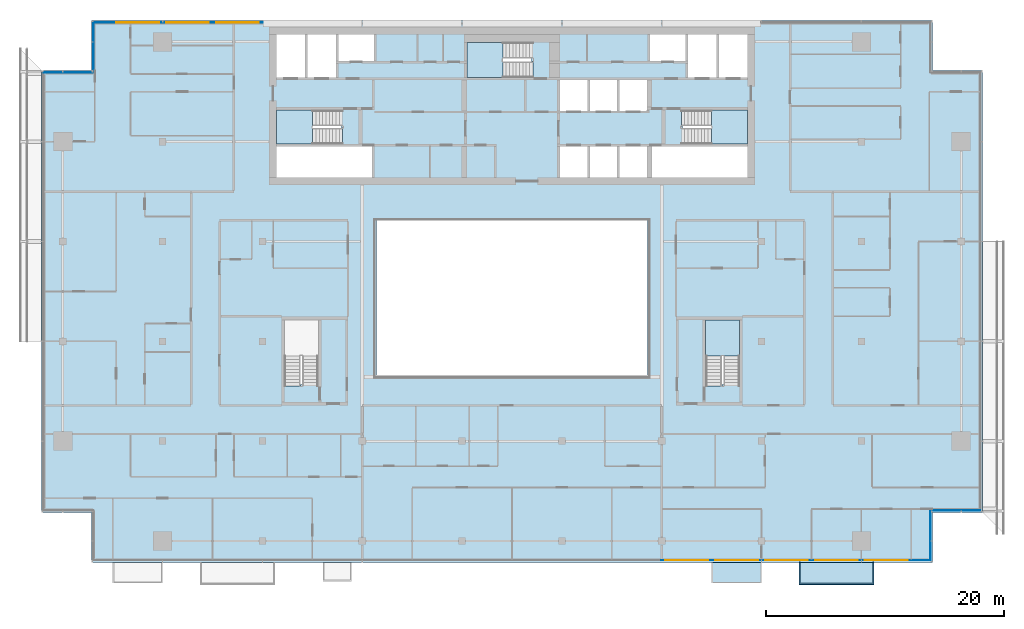
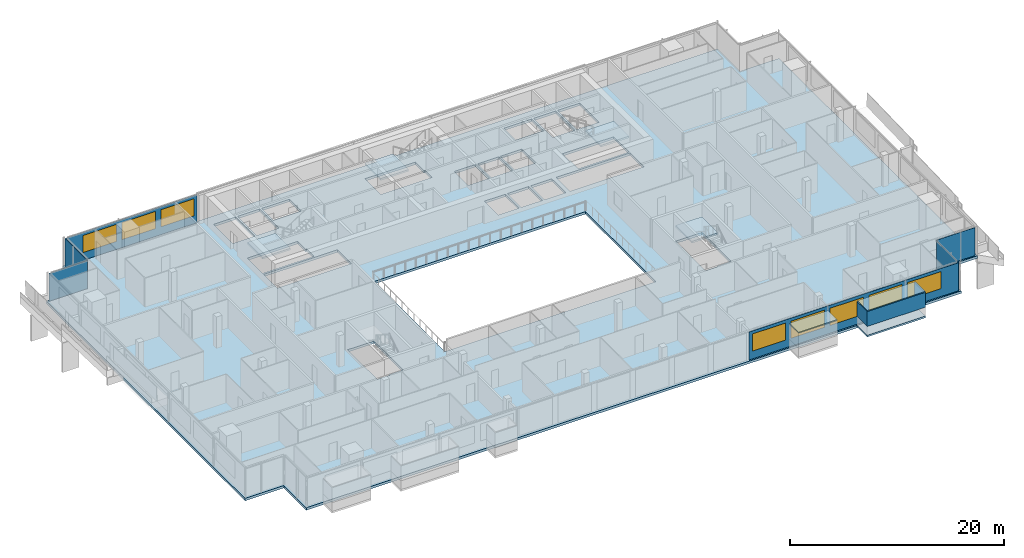
# One storey, part 16 of 29: 9 plates, 8 windows, 6 slabs, 8 openings, 10 elements without a shape of their own.
"""IFC4 building model written with IfcOpenShell, lengths in metres."""

from ifc_helpers import new_model, si_unit, direction, frame, frame_2d, origin, place, context, subcontext, project, spatial, polyline, rectangle, outline, extrude, material, layer, layer_set, type_object, element, fill, aggregate, save


model = new_model("IFC4")

# Units and contexts
model_context = context("Model", 3, precision=1e-05, world=origin(), true_north=direction((0.0, 1.0)))
body_context = subcontext(model_context, "Body", "Model", "MODEL_VIEW")
ifc_project = project(units=[si_unit("LENGTHUNIT", "METRE"), si_unit("AREAUNIT", "SQUARE_METRE"), si_unit("VOLUMEUNIT", "CUBIC_METRE"), si_unit("PLANEANGLEUNIT", "RADIAN"), si_unit("MASSUNIT", "GRAM", prefix="KILO")], contexts=[model_context])

# Site, building, storey
site_placement = place(None, origin())
site = spatial("IfcSite", under=ifc_project, at=site_placement, CompositionType="ELEMENT")
building_placement = place(site_placement, origin())
building = spatial("IfcBuilding", under=site, at=building_placement, Name="Saffron Gate Tower", CompositionType="ELEMENT")
storey_placement = place(building_placement, frame((0.0, 0.0, 219.89990234375)))
storey = spatial("IfcBuildingStorey", under=building, at=storey_placement, Name="L53", CompositionType="ELEMENT", Elevation=219.89990234375)

# Curtain wall, plate, openings, windows
ifc_material_1 = material(Name="Aluminium, bronze anodised", Category="aluminium")
curtain_wall_type_1 = type_object("IfcCurtainWallType", Name="CWS1 curtain wall front facade", PredefinedType="NOTDEFINED", material=ifc_material_1)
curtain_wall_1_placement = place(storey_placement, origin())
curtain_wall_1 = element("IfcCurtainWall", 1, at=curtain_wall_1_placement, inside=storey, type_object=curtain_wall_type_1, Name="CWS1 run 1", PredefinedType="NOTDEFINED")
ifc_material_2 = material(Name="Fritted bronze-tinted laminated glass", Category="glass")
ifc_layer_1 = layer(ifc_material_2, 0.028076171875)
ifc_layer_set_1 = layer_set([ifc_layer_1], Name="CWS1 fixed glass")
plate_type_1 = type_object("IfcPlateType", Name="CWS1 fixed glass", PredefinedType="CURTAIN_PANEL", material=ifc_layer_set_1)
plate_1_placement = place(storey_placement, frame((100.169921875, 30.174072265625, 0.0), z_axis=(0.0, 0.0, 1.0), x_axis=(1.0, 0.0, 0.0)))
plate_1 = element("IfcPlate", 2, at=plate_1_placement, type_object=plate_type_1, Name="CWS1 glass panel", PredefinedType="CURTAIN_PANEL", context=body_context, shape_type="SweptSolid", body=[
    extrude(rectangle(XDim=22.64208984375, YDim=0.028076171875, at=frame_2d((11.321044921875, 0.0))), origin(), (0.0, 0.0, 1.0), 3.2001953125),
])
opening_1_placement = place(plate_1_placement, frame((0.330078125, 0.0, 0.89990234375)))
opening_1 = element("IfcOpeningElement", 3, at=opening_1_placement, cuts=plate_1, Name="Opening W1", PredefinedType="OPENING", context=body_context, shape_type="SweptSolid", body=[
    extrude(rectangle(XDim=3.60009765625, YDim=1.949951171875, at=frame_2d((1.800048828125, 0.97509765625))), frame((0.0, 0.02392578125, 0.0), z_axis=(0.0, -1.0, 0.0), x_axis=(1.0, 0.0, 0.0)), (0.0, 0.0, 1.0), 0.048095703125),
])
opening_2_placement = place(plate_1_placement, frame((4.530029296875, 0.0, 0.89990234375)))
opening_2 = element("IfcOpeningElement", 4, at=opening_2_placement, cuts=plate_1, Name="Opening W1", PredefinedType="OPENING", context=body_context, shape_type="SweptSolid", body=[
    extrude(rectangle(XDim=3.60009765625, YDim=1.949951171875, at=frame_2d((1.800048828125, 0.97509765625))), frame((0.0, 0.02392578125, 0.0), z_axis=(0.0, -1.0, 0.0), x_axis=(1.0, 0.0, 0.0)), (0.0, 0.0, 1.0), 0.048095703125),
])
opening_3_placement = place(plate_1_placement, frame((8.72998046875, 0.0, 0.89990234375)))
opening_3 = element("IfcOpeningElement", 5, at=opening_3_placement, cuts=plate_1, Name="Opening W1", PredefinedType="OPENING", context=body_context, shape_type="SweptSolid", body=[
    extrude(rectangle(XDim=3.60009765625, YDim=1.949951171875, at=frame_2d((1.800048828125, 0.97509765625))), frame((0.0, 0.02392578125, 0.0), z_axis=(0.0, -1.0, 0.0), x_axis=(1.0, 0.0, 0.0)), (0.0, 0.0, 1.0), 0.048095703125),
])
opening_4_placement = place(plate_1_placement, frame((12.929931640625, 0.0, 0.89990234375)))
opening_4 = element("IfcOpeningElement", 6, at=opening_4_placement, cuts=plate_1, Name="Opening W1", PredefinedType="OPENING", context=body_context, shape_type="SweptSolid", body=[
    extrude(rectangle(XDim=3.60009765625, YDim=1.949951171875, at=frame_2d((1.800048828125, 0.97509765625))), frame((0.0, 0.02392578125, 0.0), z_axis=(0.0, -1.0, 0.0), x_axis=(1.0, 0.0, 0.0)), (0.0, 0.0, 1.0), 0.048095703125),
])
opening_5_placement = place(plate_1_placement, frame((17.1298828125, 0.0, 0.89990234375)))
opening_5 = element("IfcOpeningElement", 7, at=opening_5_placement, cuts=plate_1, Name="Opening W1", PredefinedType="OPENING", context=body_context, shape_type="SweptSolid", body=[
    extrude(rectangle(XDim=3.60009765625, YDim=1.949951171875, at=frame_2d((1.800048828125, 0.97509765625))), frame((0.0, 0.02392578125, 0.0), z_axis=(0.0, -1.0, 0.0), x_axis=(1.0, 0.0, 0.0)), (0.0, 0.0, 1.0), 0.048095703125),
])
ifc_material_3 = material(Name="Fritted bronze-tinted laminated glass in bronze frame", Category="glass")
ifc_layer_2 = layer(ifc_material_3, 0.06005859375)
ifc_layer_set_2 = layer_set([ifc_layer_2], Name="W1 operable panel 3600x1950")
window_type = type_object("IfcWindowType", Name="W1 operable panel 3600x1950", PartitioningType="DOUBLE_PANEL_HORIZONTAL", PredefinedType="WINDOW", material=ifc_layer_set_2)
window_1_placement = place(opening_1_placement, origin())
window_1 = element("IfcWindow", 8, at=window_1_placement, type_object=window_type, Name="W1 operable panel", OverallHeight=1.949951171875, OverallWidth=3.60009765625, PartitioningType="SINGLE_PANEL", PredefinedType="WINDOW", context=body_context, shape_type="SweptSolid", body=[
    extrude(rectangle(XDim=3.60009765625, YDim=1.949951171875, at=frame_2d((1.800048828125, 0.97509765625))), frame((0.0, 0.013671875, 0.0), z_axis=(0.0, -1.0, 0.0), x_axis=(1.0, 0.0, 0.0)), (0.0, 0.0, 1.0), 0.027587890625),
])
fill(opening_1, window_1)
window_2_placement = place(opening_2_placement, origin())
window_2 = element("IfcWindow", 9, at=window_2_placement, type_object=window_type, Name="W1 operable panel", OverallHeight=1.949951171875, OverallWidth=3.60009765625, PartitioningType="SINGLE_PANEL", PredefinedType="WINDOW", context=body_context, shape_type="SweptSolid", body=[
    extrude(rectangle(XDim=3.60009765625, YDim=1.949951171875, at=frame_2d((1.800048828125, 0.97509765625))), frame((0.0, 0.013671875, 0.0), z_axis=(0.0, -1.0, 0.0), x_axis=(1.0, 0.0, 0.0)), (0.0, 0.0, 1.0), 0.027587890625),
])
fill(opening_2, window_2)
window_3_placement = place(opening_3_placement, origin())
window_3 = element("IfcWindow", 10, at=window_3_placement, type_object=window_type, Name="W1 operable panel", OverallHeight=1.949951171875, OverallWidth=3.60009765625, PartitioningType="SINGLE_PANEL", PredefinedType="WINDOW", context=body_context, shape_type="SweptSolid", body=[
    extrude(rectangle(XDim=3.60009765625, YDim=1.949951171875, at=frame_2d((1.800048828125, 0.97509765625))), frame((0.0, 0.013671875, 0.0), z_axis=(0.0, -1.0, 0.0), x_axis=(1.0, 0.0, 0.0)), (0.0, 0.0, 1.0), 0.027587890625),
])
fill(opening_3, window_3)
window_4_placement = place(opening_4_placement, origin())
window_4 = element("IfcWindow", 11, at=window_4_placement, type_object=window_type, Name="W1 operable panel", OverallHeight=1.949951171875, OverallWidth=3.60009765625, PartitioningType="SINGLE_PANEL", PredefinedType="WINDOW", context=body_context, shape_type="SweptSolid", body=[
    extrude(rectangle(XDim=3.60009765625, YDim=1.949951171875, at=frame_2d((1.800048828125, 0.97509765625))), frame((0.0, 0.013671875, 0.0), z_axis=(0.0, -1.0, 0.0), x_axis=(1.0, 0.0, 0.0)), (0.0, 0.0, 1.0), 0.027587890625),
])
fill(opening_4, window_4)
window_5_placement = place(opening_5_placement, origin())
window_5 = element("IfcWindow", 12, at=window_5_placement, type_object=window_type, Name="W1 operable panel", OverallHeight=1.949951171875, OverallWidth=3.60009765625, PartitioningType="SINGLE_PANEL", PredefinedType="WINDOW", context=body_context, shape_type="SweptSolid", body=[
    extrude(rectangle(XDim=3.60009765625, YDim=1.949951171875, at=frame_2d((1.800048828125, 0.97509765625))), frame((0.0, 0.013671875, 0.0), z_axis=(0.0, -1.0, 0.0), x_axis=(1.0, 0.0, 0.0)), (0.0, 0.0, 1.0), 0.027587890625),
])
fill(opening_5, window_5)
aggregate(curtain_wall_1, [plate_1, window_1, window_2, window_3, window_4, window_5])

curtain_wall_type_2 = type_object("IfcCurtainWallType", Name="CWS3 curtain wall rear facade", PredefinedType="NOTDEFINED", material=ifc_material_1)
curtain_wall_2_placement = place(storey_placement, origin())
curtain_wall_2 = element("IfcCurtainWall", 13, at=curtain_wall_2_placement, inside=storey, type_object=curtain_wall_type_2, Name="CWS3 run 7", PredefinedType="NOTDEFINED")
ifc_material_4 = material(Name="Fritted grey-tinted laminated glass", Category="glass")
ifc_layer_3 = layer(ifc_material_4, 0.028076171875)
ifc_layer_set_3 = layer_set([ifc_layer_3], Name="CWS3 fixed glass")
plate_type_2 = type_object("IfcPlateType", Name="CWS3 fixed glass", PredefinedType="CURTAIN_PANEL", material=ifc_layer_set_3)
plate_2_placement = place(storey_placement, frame((66.635009765625, 75.426025390625, 0.0), z_axis=(0.0, 0.0, 1.0), x_axis=(-1.0, 0.0, 0.0)))
plate_2 = element("IfcPlate", 14, at=plate_2_placement, type_object=plate_type_2, Name="CWS3 glass panel", PredefinedType="CURTAIN_PANEL", context=body_context, shape_type="SweptSolid", body=[
    extrude(rectangle(XDim=14.2470703125, YDim=0.028076171875, at=frame_2d((7.12353515625, 0.0))), origin(), (0.0, 0.0, 1.0), 3.2001953125),
])
opening_6_placement = place(plate_2_placement, frame((0.3349609375, 0.0, 0.89990234375)))
opening_6 = element("IfcOpeningElement", 15, at=opening_6_placement, cuts=plate_2, Name="Opening W1", PredefinedType="OPENING", context=body_context, shape_type="SweptSolid", body=[
    extrude(rectangle(XDim=3.60009765625, YDim=1.949951171875, at=frame_2d((1.800048828125, 0.97509765625))), frame((0.0, 0.02392578125, 0.0), z_axis=(0.0, -1.0, 0.0), x_axis=(1.0, 0.0, 0.0)), (0.0, 0.0, 1.0), 0.048095703125),
])
opening_7_placement = place(plate_2_placement, frame((4.534912109375, 0.0, 0.89990234375)))
opening_7 = element("IfcOpeningElement", 16, at=opening_7_placement, cuts=plate_2, Name="Opening W1", PredefinedType="OPENING", context=body_context, shape_type="SweptSolid", body=[
    extrude(rectangle(XDim=3.60009765625, YDim=1.949951171875, at=frame_2d((1.800048828125, 0.97509765625))), frame((0.0, 0.02392578125, 0.0), z_axis=(0.0, -1.0, 0.0), x_axis=(1.0, 0.0, 0.0)), (0.0, 0.0, 1.0), 0.048095703125),
])
opening_8_placement = place(plate_2_placement, frame((8.735107421875, 0.0, 0.89990234375)))
opening_8 = element("IfcOpeningElement", 17, at=opening_8_placement, cuts=plate_2, Name="Opening W1", PredefinedType="OPENING", context=body_context, shape_type="SweptSolid", body=[
    extrude(rectangle(XDim=3.60009765625, YDim=1.949951171875, at=frame_2d((1.800048828125, 0.97509765625))), frame((0.0, 0.02392578125, 0.0), z_axis=(0.0, -1.0, 0.0), x_axis=(1.0, 0.0, 0.0)), (0.0, 0.0, 1.0), 0.048095703125),
])
window_6_placement = place(opening_6_placement, origin())
window_6 = element("IfcWindow", 18, at=window_6_placement, type_object=window_type, Name="W1 operable panel", OverallHeight=1.949951171875, OverallWidth=3.60009765625, PartitioningType="SINGLE_PANEL", PredefinedType="WINDOW", context=body_context, shape_type="SweptSolid", body=[
    extrude(rectangle(XDim=3.60009765625, YDim=1.949951171875, at=frame_2d((1.800048828125, 0.97509765625))), frame((0.0, 0.013671875, 0.0), z_axis=(0.0, -1.0, 0.0), x_axis=(1.0, 0.0, 0.0)), (0.0, 0.0, 1.0), 0.027587890625),
])
fill(opening_6, window_6)
window_7_placement = place(opening_7_placement, origin())
window_7 = element("IfcWindow", 19, at=window_7_placement, type_object=window_type, Name="W1 operable panel", OverallHeight=1.949951171875, OverallWidth=3.60009765625, PartitioningType="SINGLE_PANEL", PredefinedType="WINDOW", context=body_context, shape_type="SweptSolid", body=[
    extrude(rectangle(XDim=3.60009765625, YDim=1.949951171875, at=frame_2d((1.800048828125, 0.97509765625))), frame((0.0, 0.013671875, 0.0), z_axis=(0.0, -1.0, 0.0), x_axis=(1.0, 0.0, 0.0)), (0.0, 0.0, 1.0), 0.027587890625),
])
fill(opening_7, window_7)
window_8_placement = place(opening_8_placement, origin())
window_8 = element("IfcWindow", 20, at=window_8_placement, type_object=window_type, Name="W1 operable panel", OverallHeight=1.949951171875, OverallWidth=3.60009765625, PartitioningType="SINGLE_PANEL", PredefinedType="WINDOW", context=body_context, shape_type="SweptSolid", body=[
    extrude(rectangle(XDim=3.60009765625, YDim=1.949951171875, at=frame_2d((1.800048828125, 0.97509765625))), frame((0.0, 0.013671875, 0.0), z_axis=(0.0, -1.0, 0.0), x_axis=(1.0, 0.0, 0.0)), (0.0, 0.0, 1.0), 0.027587890625),
])
fill(opening_8, window_8)
aggregate(curtain_wall_2, [plate_2, window_6, window_7, window_8])

# Curtain wall, plate
curtain_wall_type_3 = type_object("IfcCurtainWallType", Name="CWS4 curtain wall corner returns", PredefinedType="NOTDEFINED", material=ifc_material_1)
curtain_wall_3_placement = place(storey_placement, origin())
curtain_wall_3 = element("IfcCurtainWall", 21, at=curtain_wall_3_placement, inside=storey, type_object=curtain_wall_type_3, Name="CWS4 run 2", PredefinedType="NOTDEFINED")
ifc_layer_4 = layer(ifc_material_2, 0.028076171875)
ifc_layer_set_4 = layer_set([ifc_layer_4], Name="CWS4 fixed glass")
plate_type_3 = type_object("IfcPlateType", Name="CWS4 fixed glass", PredefinedType="CURTAIN_PANEL", material=ifc_layer_set_4)
plate_3_placement = place(storey_placement, frame((122.825927734375, 30.18798828125, 0.0), z_axis=(0.0, 0.0, 1.0), x_axis=(0.0, 1.0, 0.0)))
plate_3 = element("IfcPlate", 22, at=plate_3_placement, type_object=plate_type_3, Name="CWS4 glass panel", PredefinedType="CURTAIN_PANEL", context=body_context, shape_type="SweptSolid", body=[
    extrude(rectangle(XDim=4.172119140625, YDim=0.028076171875, at=frame_2d((2.0859375, 0.0))), origin(), (0.0, 0.0, 1.0), 3.2001953125),
])
aggregate(curtain_wall_3, [plate_3])

curtain_wall_4_placement = place(storey_placement, origin())
curtain_wall_4 = element("IfcCurtainWall", 23, at=curtain_wall_4_placement, inside=storey, type_object=curtain_wall_type_3, Name="CWS4 run 3", PredefinedType="NOTDEFINED")
plate_4_placement = place(storey_placement, frame((122.840087890625, 34.3740234375, 0.0), z_axis=(0.0, 0.0, 1.0), x_axis=(1.0, 0.0, 0.0)))
plate_4 = element("IfcPlate", 24, at=plate_4_placement, type_object=plate_type_3, Name="CWS4 glass panel", PredefinedType="CURTAIN_PANEL", context=body_context, shape_type="SweptSolid", body=[
    extrude(rectangle(XDim=4.171875, YDim=0.028076171875, at=frame_2d((2.0859375, 0.0))), origin(), (0.0, 0.0, 1.0), 3.2001953125),
])
aggregate(curtain_wall_4, [plate_4])

curtain_wall_5_placement = place(storey_placement, origin())
curtain_wall_5 = element("IfcCurtainWall", 25, at=curtain_wall_5_placement, inside=storey, type_object=curtain_wall_type_3, Name="CWS4 run 8", PredefinedType="NOTDEFINED")
plate_5_placement = place(storey_placement, frame((52.3740234375, 75.412109375, 0.0), z_axis=(0.0, 0.0, 1.0), x_axis=(0.0, -1.0, 0.0)))
plate_5 = element("IfcPlate", 26, at=plate_5_placement, type_object=plate_type_3, Name="CWS4 glass panel", PredefinedType="CURTAIN_PANEL", context=body_context, shape_type="SweptSolid", body=[
    extrude(rectangle(XDim=4.172119140625, YDim=0.028076171875, at=frame_2d((2.0859375, 0.0))), origin(), (0.0, 0.0, 1.0), 3.2001953125),
])
aggregate(curtain_wall_5, [plate_5])

curtain_wall_6_placement = place(storey_placement, origin())
curtain_wall_6 = element("IfcCurtainWall", 27, at=curtain_wall_6_placement, inside=storey, type_object=curtain_wall_type_3, Name="CWS4 run 9", PredefinedType="NOTDEFINED")
plate_6_placement = place(storey_placement, frame((52.360107421875, 71.22607421875, 0.0), z_axis=(0.0, 0.0, 1.0), x_axis=(-1.0, 0.0, 0.0)))
plate_6 = element("IfcPlate", 28, at=plate_6_placement, type_object=plate_type_3, Name="CWS4 glass panel", PredefinedType="CURTAIN_PANEL", context=body_context, shape_type="SweptSolid", body=[
    extrude(rectangle(XDim=4.172119140625, YDim=0.028076171875, at=frame_2d((2.0859375, 0.0))), origin(), (0.0, 0.0, 1.0), 3.2001953125),
])
aggregate(curtain_wall_6, [plate_6])

# Slab
ifc_material_5 = material(Name="Concrete C40", Category="concrete")
ifc_layer_5 = layer(ifc_material_5, 0.280029296875)
ifc_layer_set_5 = layer_set([ifc_layer_5], Name="S2 FLOOR SLAB 280 CONCRETE C40")
slab_type_1 = type_object("IfcSlabType", Name="S2 FLOOR SLAB 280 CONCRETE C40", PredefinedType="FLOOR", material=ifc_layer_set_5)
slab_1_placement = place(storey_placement, frame((0.0, 0.0, -0.27978515625)))
element("IfcSlab", 29, at=slab_1_placement, inside=storey, type_object=slab_type_1, Name="S2 FLOOR SLAB", PredefinedType="FLOOR", context=body_context, shape_type="SweptSolid", body=[
    extrude(outline(polyline([(48.0, 34.199951171875), (52.199951171875, 34.199951171875), (52.199951171875, 30.0), (123.0, 30.0), (123.0, 34.199951171875), (127.199951171875, 34.199951171875), (127.199951171875, 71.39990234375), (123.0, 71.39990234375), (123.0, 75.60009765625), (52.199951171875, 75.60009765625), (52.199951171875, 71.39990234375), (48.0, 71.39990234375), (48.0, 34.199951171875)]), holes=[polyline([(67.800048828125, 62.39990234375), (67.800048828125, 65.0), (75.800048828125, 65.0), (75.800048828125, 62.39990234375), (67.800048828125, 62.39990234375)]), polyline([(67.800048828125, 65.199951171875), (67.800048828125, 68.050048828125), (73.25, 68.050048828125), (73.25, 66.550048828125), (73.34912109375, 66.550048828125), (73.34912109375, 65.199951171875), (67.800048828125, 65.199951171875)]), polyline([(67.800048828125, 70.800048828125), (67.800048828125, 74.39990234375), (70.199951171875, 74.39990234375), (70.199951171875, 70.800048828125), (67.800048828125, 70.800048828125)]), polyline([(68.449951171875, 44.85107421875), (68.449951171875, 50.39990234375), (71.300048828125, 50.39990234375), (71.300048828125, 44.949951171875), (69.800048828125, 44.949951171875), (69.800048828125, 44.85107421875), (68.449951171875, 44.85107421875)]), polyline([(70.39990234375, 70.800048828125), (70.39990234375, 74.39990234375), (72.800048828125, 74.39990234375), (72.800048828125, 70.800048828125), (70.39990234375, 70.800048828125)]), polyline([(73.0, 72.199951171875), (73.0, 74.39990234375), (76.0, 74.39990234375), (76.0, 72.199951171875), (73.0, 72.199951171875)]), polyline([(76.199951171875, 45.60009765625), (76.199951171875, 58.800048828125), (99.0, 58.800048828125), (99.0, 45.60009765625), (76.199951171875, 45.60009765625)]), polyline([(83.800048828125, 70.800048828125), (83.800048828125, 73.75), (89.25, 73.75), (89.25, 72.14990234375), (89.34912109375, 72.14990234375), (89.34912109375, 70.800048828125), (83.800048828125, 70.800048828125)]), polyline([(91.64990234375, 62.39990234375), (91.64990234375, 65.0), (93.949951171875, 65.0), (93.949951171875, 62.39990234375), (91.64990234375, 62.39990234375)]), polyline([(91.64990234375, 68.0), (91.64990234375, 70.60009765625), (93.949951171875, 70.60009765625), (93.949951171875, 68.0), (91.64990234375, 68.0)]), polyline([(94.14990234375, 62.39990234375), (94.14990234375, 65.0), (96.449951171875, 65.0), (96.449951171875, 62.39990234375), (94.14990234375, 62.39990234375)]), polyline([(94.14990234375, 68.0), (94.14990234375, 70.60009765625), (96.449951171875, 70.60009765625), (96.449951171875, 68.0), (94.14990234375, 68.0)]), polyline([(96.64990234375, 62.39990234375), (96.64990234375, 65.0), (98.949951171875, 65.0), (98.949951171875, 62.39990234375), (96.64990234375, 62.39990234375)]), polyline([(96.64990234375, 68.0), (96.64990234375, 70.60009765625), (98.949951171875, 70.60009765625), (98.949951171875, 68.0), (96.64990234375, 68.0)]), polyline([(99.199951171875, 72.199951171875), (99.199951171875, 74.39990234375), (102.199951171875, 74.39990234375), (102.199951171875, 72.199951171875), (99.199951171875, 72.199951171875)]), polyline([(99.39990234375, 62.39990234375), (99.39990234375, 65.0), (107.39990234375, 65.0), (107.39990234375, 62.39990234375), (99.39990234375, 62.39990234375)]), polyline([(101.85107421875, 66.699951171875), (101.85107421875, 68.050048828125), (107.39990234375, 68.050048828125), (107.39990234375, 65.199951171875), (101.949951171875, 65.199951171875), (101.949951171875, 66.699951171875), (101.85107421875, 66.699951171875)]), polyline([(102.39990234375, 70.800048828125), (102.39990234375, 74.39990234375), (104.800048828125, 74.39990234375), (104.800048828125, 70.800048828125), (102.39990234375, 70.800048828125)]), polyline([(103.89990234375, 44.85107421875), (103.89990234375, 50.39990234375), (106.75, 50.39990234375), (106.75, 44.949951171875), (105.25, 44.949951171875), (105.25, 44.85107421875), (103.89990234375, 44.85107421875)]), polyline([(105.0, 70.800048828125), (105.0, 74.39990234375), (107.39990234375, 74.39990234375), (107.39990234375, 70.800048828125), (105.0, 70.800048828125)])]), origin(), (0.0, 0.0, 1.0), 0.27978515625),
])

# Stair, slab
stair_type = type_object("IfcStairType", Name="ST7 Stair 1350 wide, 20 risers of 180", PredefinedType="HALF_TURN_STAIR", material=ifc_material_5)
stair_1_placement = place(storey_placement, origin())
stair_1 = element("IfcStair", 30, at=stair_1_placement, inside=storey, type_object=stair_type, Name="L53 Exit stair A", PredefinedType="HALF_TURN_STAIR")
ifc_layer_6 = layer(ifc_material_5, 0.199951171875)
ifc_layer_set_6 = layer_set([ifc_layer_6], Name="SL1 Stair landing 200")
slab_type_2 = type_object("IfcSlabType", Name="SL1 Stair landing 200", PredefinedType="LANDING", material=ifc_layer_set_6)
slab_2_placement = place(storey_placement, frame((0.0, 0.0, 1.60009765625)))
slab_2 = element("IfcSlab", 31, at=slab_2_placement, type_object=slab_type_2, Name="ST-A landing 1", PredefinedType="LANDING", context=body_context, shape_type="SweptSolid", body=[
    extrude(outline(polyline([(70.830078125, 68.050048828125), (67.800048828125, 68.050048828125), (67.800048828125, 65.199951171875), (70.830078125, 65.199951171875), (70.830078125, 68.050048828125)])), origin(), (0.0, 0.0, 1.0), 0.199951171875),
])
aggregate(stair_1, [slab_2])

stair_2_placement = place(storey_placement, origin())
stair_2 = element("IfcStair", 32, at=stair_2_placement, inside=storey, type_object=stair_type, Name="L53 Exit stair B", PredefinedType="HALF_TURN_STAIR")
slab_3_placement = place(storey_placement, frame((0.0, 0.0, 1.60009765625)))
slab_3 = element("IfcSlab", 33, at=slab_3_placement, type_object=slab_type_2, Name="ST-B landing 1", PredefinedType="LANDING", context=body_context, shape_type="SweptSolid", body=[
    extrude(outline(polyline([(104.3701171875, 65.199951171875), (107.39990234375, 65.199951171875), (107.39990234375, 68.050048828125), (104.3701171875, 68.050048828125), (104.3701171875, 65.199951171875)])), origin(), (0.0, 0.0, 1.0), 0.199951171875),
])
aggregate(stair_2, [slab_3])

stair_3_placement = place(storey_placement, origin())
stair_3 = element("IfcStair", 34, at=stair_3_placement, inside=storey, type_object=stair_type, Name="L53 Exit stair C", PredefinedType="HALF_TURN_STAIR")
slab_4_placement = place(storey_placement, frame((0.0, 0.0, 1.60009765625)))
slab_4 = element("IfcSlab", 35, at=slab_4_placement, type_object=slab_type_2, Name="ST-C landing 1", PredefinedType="LANDING", context=body_context, shape_type="SweptSolid", body=[
    extrude(outline(polyline([(86.830078125, 73.75), (83.800048828125, 73.75), (83.800048828125, 70.800048828125), (86.830078125, 70.800048828125), (86.830078125, 73.75)])), origin(), (0.0, 0.0, 1.0), 0.199951171875),
])
aggregate(stair_3, [slab_4])

stair_4_placement = place(storey_placement, origin())
stair_4 = element("IfcStair", 36, at=stair_4_placement, inside=storey, type_object=stair_type, Name="L53 Exit stair E", PredefinedType="HALF_TURN_STAIR")
slab_5_placement = place(storey_placement, frame((0.0, 0.0, 1.60009765625)))
slab_5 = element("IfcSlab", 37, at=slab_5_placement, type_object=slab_type_2, Name="ST-E landing 1", PredefinedType="LANDING", context=body_context, shape_type="SweptSolid", body=[
    extrude(outline(polyline([(106.75, 47.3701171875), (106.75, 50.39990234375), (103.89990234375, 50.39990234375), (103.89990234375, 47.3701171875), (106.75, 47.3701171875)])), origin(), (0.0, 0.0, 1.0), 0.199951171875),
])
aggregate(stair_4, [slab_5])

# Slab
ifc_material_6 = material(Name="Timber deck on bronze frame", Category="wood")
ifc_layer_7 = layer(ifc_material_6, 0.199951171875)
ifc_layer_set_7 = layer_set([ifc_layer_7], Name="WB1 box floor")
slab_type_3 = type_object("IfcSlabType", Name="WB1 box floor", PredefinedType="FLOOR", material=ifc_layer_set_7)
slab_6_placement = place(storey_placement, frame((0.0, 0.0, -0.199951171875)))
element("IfcSlab", 38, at=slab_6_placement, inside=storey, type_object=slab_type_3, Name="WINDOW BOX floor", PredefinedType="FLOOR", context=body_context, shape_type="SweptSolid", body=[
    extrude(outline(polyline([(111.75, 30.0), (118.050048828125, 30.0), (118.050048828125, 28.133056640625), (111.75, 28.133056640625), (111.75, 30.0)])), origin(), (0.0, 0.0, 1.0), 0.199951171875),
])

# Plates
ifc_layer_8 = layer(ifc_material_1, 0.1201171875)
ifc_layer_set_8 = layer_set([ifc_layer_8], Name="WB2 box roof")
plate_type_4 = type_object("IfcPlateType", Name="WB2 box roof", PredefinedType="SHEET", material=ifc_layer_set_8)
plate_7_placement = place(storey_placement, frame((0.0, 0.0, 2.7001953125)))
element("IfcPlate", 39, at=plate_7_placement, inside=storey, type_object=plate_type_4, Name="WINDOW BOX roof", PredefinedType="SHEET", context=body_context, shape_type="SweptSolid", body=[
    extrude(outline(polyline([(104.39990234375, 30.0), (108.60009765625, 30.0), (108.60009765625, 28.26708984375), (104.39990234375, 28.26708984375), (104.39990234375, 30.0)])), origin(), (0.0, 0.0, 1.0), 0.119873046875),
])
plate_8_placement = place(storey_placement, frame((0.0, 0.0, 2.7001953125)))
element("IfcPlate", 40, at=plate_8_placement, inside=storey, type_object=plate_type_4, Name="WINDOW BOX roof", PredefinedType="SHEET", context=body_context, shape_type="SweptSolid", body=[
    extrude(outline(polyline([(111.75, 30.0), (118.050048828125, 30.0), (118.050048828125, 28.133056640625), (111.75, 28.133056640625), (111.75, 30.0)])), origin(), (0.0, 0.0, 1.0), 0.119873046875),
])
ifc_material_7 = material(Name="Clear low-iron laminated glass", Category="glass")
ifc_layer_9 = layer(ifc_material_7, 0.10009765625)
ifc_layer_set_9 = layer_set([ifc_layer_9], Name="WB6 box glazing")
plate_type_5 = type_object("IfcPlateType", Name="WB6 box glazing", PredefinedType="SHEET", material=ifc_layer_set_9)
plate_9_placement = place(storey_placement, frame((0.0, 0.0, 1.0)))
element("IfcPlate", 41, at=plate_9_placement, inside=storey, type_object=plate_type_5, Name="WINDOW BOX glazing", PredefinedType="SHEET", context=body_context, shape_type="SweptSolid", body=[
    extrude(outline(polyline([(111.75, 30.0), (111.85009765625, 30.0), (111.85009765625, 28.23291015625), (117.949951171875, 28.23291015625), (117.949951171875, 30.0), (118.050048828125, 30.0), (118.050048828125, 28.133056640625), (111.75, 28.133056640625), (111.75, 30.0)])), origin(), (0.0, 0.0, 1.0), 1.7001953125),
])

save(model, "model.ifc")
